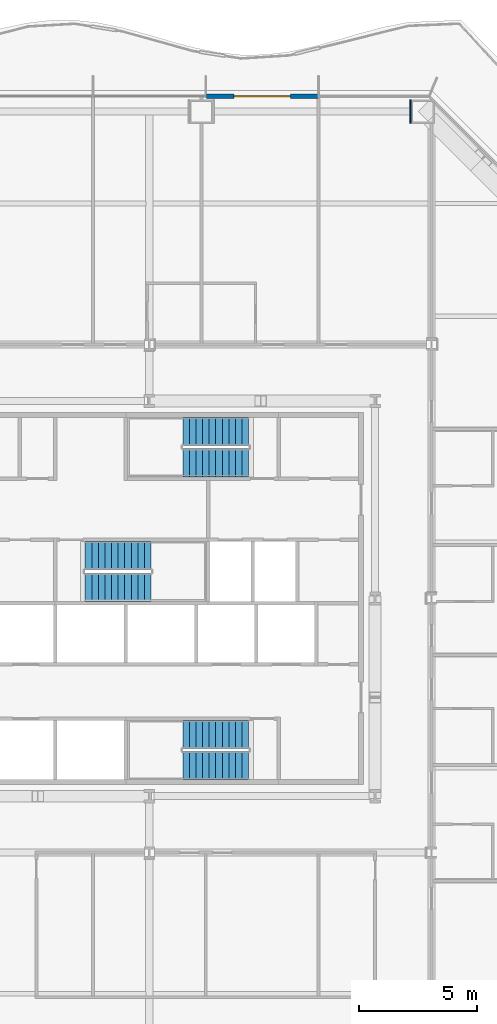
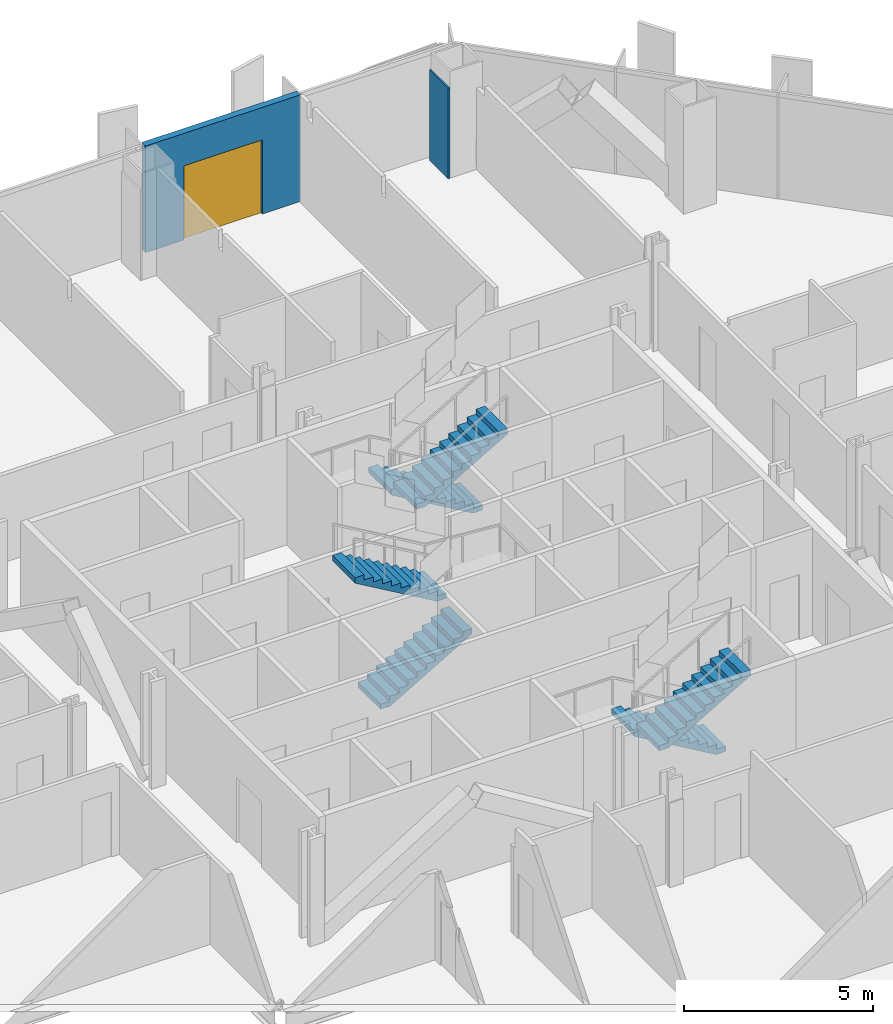
# One storey, part 14 of 21: 6 stair flights, 2 walls, 1 door, 1 opening, 3 elements without a shape of their own.
"""IFC4 building model written with IfcOpenShell, lengths in metres."""

from ifc_helpers import new_model, si_unit, direction, frame, frame_2d, origin, place, context, subcontext, project, spatial, polyline, rectangle, outline, extrude, material, layer, layer_set, type_object, element, fill, aggregate, save


model = new_model("IFC4")

# Units and contexts
model_context = context("Model", 3, precision=1e-05, world=origin(), true_north=direction((0.0, 1.0)))
body_context = subcontext(model_context, "Body", "Model", "MODEL_VIEW")
ifc_project = project(units=[si_unit("LENGTHUNIT", "METRE"), si_unit("AREAUNIT", "SQUARE_METRE"), si_unit("VOLUMEUNIT", "CUBIC_METRE"), si_unit("PLANEANGLEUNIT", "RADIAN"), si_unit("MASSUNIT", "GRAM", prefix="KILO")], contexts=[model_context])

# Site, building, storey
site_placement = place(None, origin())
site = spatial("IfcSite", under=ifc_project, at=site_placement, CompositionType="ELEMENT")
building_placement = place(site_placement, origin())
building = spatial("IfcBuilding", under=site, at=building_placement, Name="Cairn Pilgrim Tower", CompositionType="ELEMENT")
storey_placement = place(building_placement, frame((0.0, 0.0, 54.60009765625)))
storey = spatial("IfcBuildingStorey", under=building, at=storey_placement, Name="L11", CompositionType="ELEMENT", Elevation=54.60009765625)

# Wall, opening, door
ifc_material_1 = material(Name="Bronze anodised aluminium insulated sandwich panel with mineral wool fill", Category="aluminium")
ifc_layer_1 = layer(ifc_material_1, 0.199951171875)
ifc_layer_set_1 = layer_set([ifc_layer_1], Name="BRONZE INFILL FRAME WALL 200")
wall_type_1 = type_object("IfcWallType", Name="BRONZE INFILL FRAME WALL 200", PredefinedType="NOTDEFINED", material=ifc_layer_set_1)
wall_1_placement = place(storey_placement, frame((14.3701171875, 23.75, 0.0), z_axis=(0.0, 0.0, 1.0), x_axis=(-1.0, 0.0, 0.0)))
wall_1 = element("IfcWall", 1, at=wall_1_placement, inside=storey, type_object=wall_type_1, Name="Bronze infill frame wall IW-N2", PredefinedType="NOTDEFINED", context=body_context, shape_type="SweptSolid", body=[
    extrude(rectangle(XDim=4.740234375, YDim=0.199951171875, at=frame_2d((2.3701171875, 0.0))), origin(), (0.0, 0.0, 1.0), 3.449951171875),
])
opening_placement = place(wall_1_placement, frame((1.169921875, 0.0, 0.0)))
opening = element("IfcOpeningElement", 2, at=opening_placement, cuts=wall_1, Name="Opening 1120B", PredefinedType="OPENING", context=body_context, shape_type="SweptSolid", body=[
    extrude(rectangle(XDim=2.39990234375, YDim=2.39990234375, at=frame_2d((1.199951171875, 1.199951171875))), frame((0.0, 0.10986328125, 0.0), z_axis=(0.0, -1.0, 0.0), x_axis=(1.0, 0.0, 0.0)), (0.0, 0.0, 1.0), 0.219970703125),
])
ifc_material_2 = material(Name="Bronze anodised aluminium frame with tinted low-E glass", Category="aluminium")
door_type = type_object("IfcDoorType", Name="BALCONY SLIDING DOOR 2400x2400", OperationType="DOUBLE_DOOR_SLIDING", PredefinedType="DOOR", material=ifc_material_2)
door_placement = place(opening_placement, origin())
door = element("IfcDoor", 3, at=door_placement, inside=storey, type_object=door_type, Name="Balcony sliding door 1120B", OperationType="SINGLE_SWING_LEFT", OverallHeight=2.39990234375, OverallWidth=2.39990234375, PredefinedType="DOOR", context=body_context, shape_type="SweptSolid", body=[
    extrude(rectangle(XDim=2.39990234375, YDim=2.39990234375, at=frame_2d((1.199951171875, 1.199951171875))), frame((0.0, 0.02490234375, 0.0), z_axis=(0.0, -1.0, 0.0), x_axis=(1.0, 0.0, 0.0)), (0.0, 0.0, 1.0), 0.050048828125),
])
fill(opening, door)

# Wall
ifc_material_3 = material(Name="Gypsum partition")
ifc_layer_2 = layer(ifc_material_3, 0.050048828125)
ifc_layer_set_2 = layer_set([ifc_layer_2], Name="PARTITION 50 DRYWALL EI 60")
wall_type_2 = type_object("IfcWallType", Name="PARTITION 50 DRYWALL EI 60", PredefinedType="PARTITIONING", material=ifc_layer_set_2)
wall_2_placement = place(storey_placement, frame((18.30224609375, 22.60009765625, 0.0), z_axis=(0.0, 0.0, 1.0), x_axis=(0.0, 1.0, 0.0)))
element("IfcWall", 4, at=wall_2_placement, inside=storey, type_object=wall_type_2, Name="COLUMN CASING WC33", PredefinedType="PARTITIONING", context=body_context, shape_type="SweptSolid", body=[
    extrude(rectangle(XDim=1.0, YDim=0.050048828125, at=frame_2d((0.5, 0.0))), origin(), (0.0, 0.0, 1.0), 2.929931640625),
])

# Stair, stair flights
ifc_material_4 = material(Name="Concrete C32/40", Category="concrete")
stair_type = type_object("IfcStairType", Name="EXIT STAIR 1200", PredefinedType="HALF_TURN_STAIR", material=ifc_material_4)
stair_1_placement = place(storey_placement, origin())
stair_1 = element("IfcStair", 5, at=stair_1_placement, inside=storey, type_object=stair_type, Name="L11 Exit Stair A", PredefinedType="HALF_TURN_STAIR")
stair_flight_type = type_object("IfcStairFlightType", Name="STAIR FLIGHT 1200", PredefinedType="STRAIGHT", material=ifc_material_4)
stair_flight_1_placement = place(storey_placement, frame((11.425048828125, -3.375, 0.0), z_axis=(0.0, 0.0, 1.0), x_axis=(-1.0, 0.0, 0.0)))
stair_flight_1 = element("IfcStairFlight", 6, at=stair_flight_1_placement, type_object=stair_flight_type, Name="ST-A flight 1", NumberOfRisers=11, NumberOfTreads=10, PredefinedType="STRAIGHT", RiserHeight=0.163636364, TreadLength=0.28, context=body_context, shape_type="SweptSolid", body=[
    extrude(outline(polyline([(0.0, 0.0), (0.0, 0.16357421875), (0.280029296875, 0.16357421875), (0.280029296875, 0.327392578125), (0.56005859375, 0.327392578125), (0.56005859375, 0.490966796875), (0.840087890625, 0.490966796875), (0.840087890625, 0.654541015625), (1.1201171875, 0.654541015625), (1.1201171875, 0.818115234375), (1.39990234375, 0.818115234375), (1.39990234375, 0.98193359375), (1.679931640625, 0.98193359375), (1.679931640625, 1.1455078125), (1.9599609375, 1.1455078125), (1.9599609375, 1.30908203125), (2.239990234375, 1.30908203125), (2.239990234375, 1.47265625), (2.52001953125, 1.47265625), (2.52001953125, 1.636474609375), (2.800048828125, 1.636474609375), (2.800048828125, 1.800048828125), (2.800048828125, 1.462646484375), (0.297119140625, 0.0), (0.0, 0.0)])), frame((0.0, 0.60009765625, 0.0), z_axis=(0.0, -1.0, 0.0), x_axis=(1.0, 0.0, 0.0)), (0.0, 0.0, 1.0), 1.199951171875),
])
stair_flight_2_placement = place(storey_placement, frame((8.625, -4.699951171875, 1.7998046875), z_axis=(0.0, 0.0, 1.0), x_axis=(1.0, 0.0, 0.0)))
stair_flight_2 = element("IfcStairFlight", 7, at=stair_flight_2_placement, type_object=stair_flight_type, Name="ST-A flight 2", NumberOfRisers=11, NumberOfTreads=10, PredefinedType="STRAIGHT", RiserHeight=0.163636364, TreadLength=0.28, context=body_context, shape_type="SweptSolid", body=[
    extrude(outline(polyline([(0.0, 0.0), (0.0, 0.16357421875), (0.280029296875, 0.16357421875), (0.280029296875, 0.327392578125), (0.56005859375, 0.327392578125), (0.56005859375, 0.490966796875), (0.840087890625, 0.490966796875), (0.840087890625, 0.654541015625), (1.1201171875, 0.654541015625), (1.1201171875, 0.818115234375), (1.39990234375, 0.818115234375), (1.39990234375, 0.98193359375), (1.679931640625, 0.98193359375), (1.679931640625, 1.1455078125), (1.9599609375, 1.1455078125), (1.9599609375, 1.30908203125), (2.239990234375, 1.30908203125), (2.239990234375, 1.47265625), (2.52001953125, 1.47265625), (2.52001953125, 1.636474609375), (2.800048828125, 1.636474609375), (2.800048828125, 1.800048828125), (2.800048828125, 1.462646484375), (0.297119140625, 0.0), (0.0, 0.0)])), frame((0.0, 0.60009765625, 0.0), z_axis=(0.0, -1.0, 0.0), x_axis=(1.0, 0.0, 0.0)), (0.0, 0.0, 1.0), 1.199951171875),
])
aggregate(stair_1, [stair_flight_1, stair_flight_2])

stair_2_placement = place(storey_placement, origin())
stair_2 = element("IfcStair", 8, at=stair_2_placement, inside=storey, type_object=stair_type, Name="L11 Exit Stair B", PredefinedType="HALF_TURN_STAIR")
stair_flight_3_placement = place(storey_placement, frame((4.47509765625, 2.875, 0.0), z_axis=(0.0, 0.0, 1.0), x_axis=(1.0, 0.0, 0.0)))
stair_flight_3 = element("IfcStairFlight", 9, at=stair_flight_3_placement, type_object=stair_flight_type, Name="ST-B flight 1", NumberOfRisers=11, NumberOfTreads=10, PredefinedType="STRAIGHT", RiserHeight=0.163636364, TreadLength=0.28, context=body_context, shape_type="SweptSolid", body=[
    extrude(outline(polyline([(0.0, 0.0), (0.0, 0.16357421875), (0.280029296875, 0.16357421875), (0.280029296875, 0.327392578125), (0.56005859375, 0.327392578125), (0.56005859375, 0.490966796875), (0.840087890625, 0.490966796875), (0.840087890625, 0.654541015625), (1.1201171875, 0.654541015625), (1.1201171875, 0.818115234375), (1.39990234375, 0.818115234375), (1.39990234375, 0.98193359375), (1.679931640625, 0.98193359375), (1.679931640625, 1.1455078125), (1.9599609375, 1.1455078125), (1.9599609375, 1.30908203125), (2.239990234375, 1.30908203125), (2.239990234375, 1.47265625), (2.52001953125, 1.47265625), (2.52001953125, 1.636474609375), (2.800048828125, 1.636474609375), (2.800048828125, 1.800048828125), (2.800048828125, 1.462646484375), (0.297119140625, 0.0), (0.0, 0.0)])), frame((0.0, 0.60009765625, 0.0), z_axis=(0.0, -1.0, 0.0), x_axis=(1.0, 0.0, 0.0)), (0.0, 0.0, 1.0), 1.199951171875),
])
stair_flight_4_placement = place(storey_placement, frame((7.27490234375, 4.22509765625, 1.7998046875), z_axis=(0.0, 0.0, 1.0), x_axis=(-1.0, 0.0, 0.0)))
stair_flight_4 = element("IfcStairFlight", 10, at=stair_flight_4_placement, type_object=stair_flight_type, Name="ST-B flight 2", NumberOfRisers=11, NumberOfTreads=10, PredefinedType="STRAIGHT", RiserHeight=0.163636364, TreadLength=0.28, context=body_context, shape_type="SweptSolid", body=[
    extrude(outline(polyline([(0.0, 0.0), (0.0, 0.16357421875), (0.280029296875, 0.16357421875), (0.280029296875, 0.327392578125), (0.56005859375, 0.327392578125), (0.56005859375, 0.490966796875), (0.840087890625, 0.490966796875), (0.840087890625, 0.654541015625), (1.1201171875, 0.654541015625), (1.1201171875, 0.818115234375), (1.39990234375, 0.818115234375), (1.39990234375, 0.98193359375), (1.679931640625, 0.98193359375), (1.679931640625, 1.1455078125), (1.9599609375, 1.1455078125), (1.9599609375, 1.30908203125), (2.239990234375, 1.30908203125), (2.239990234375, 1.47265625), (2.52001953125, 1.47265625), (2.52001953125, 1.636474609375), (2.800048828125, 1.636474609375), (2.800048828125, 1.800048828125), (2.800048828125, 1.462646484375), (0.297119140625, 0.0), (0.0, 0.0)])), frame((0.0, 0.60009765625, 0.0), z_axis=(0.0, -1.0, 0.0), x_axis=(1.0, 0.0, 0.0)), (0.0, 0.0, 1.0), 1.199951171875),
])
aggregate(stair_2, [stair_flight_3, stair_flight_4])

stair_3_placement = place(storey_placement, origin())
stair_3 = element("IfcStair", 11, at=stair_3_placement, inside=storey, type_object=stair_type, Name="L11 Exit Stair C", PredefinedType="HALF_TURN_STAIR")
stair_flight_5_placement = place(storey_placement, frame((11.425048828125, 9.5, 0.0), z_axis=(0.0, 0.0, 1.0), x_axis=(-1.0, 0.0, 0.0)))
stair_flight_5 = element("IfcStairFlight", 12, at=stair_flight_5_placement, type_object=stair_flight_type, Name="ST-C flight 1", NumberOfRisers=11, NumberOfTreads=10, PredefinedType="STRAIGHT", RiserHeight=0.163636364, TreadLength=0.28, context=body_context, shape_type="SweptSolid", body=[
    extrude(outline(polyline([(0.0, 0.0), (0.0, 0.16357421875), (0.280029296875, 0.16357421875), (0.280029296875, 0.327392578125), (0.56005859375, 0.327392578125), (0.56005859375, 0.490966796875), (0.840087890625, 0.490966796875), (0.840087890625, 0.654541015625), (1.1201171875, 0.654541015625), (1.1201171875, 0.818115234375), (1.39990234375, 0.818115234375), (1.39990234375, 0.98193359375), (1.679931640625, 0.98193359375), (1.679931640625, 1.1455078125), (1.9599609375, 1.1455078125), (1.9599609375, 1.30908203125), (2.239990234375, 1.30908203125), (2.239990234375, 1.47265625), (2.52001953125, 1.47265625), (2.52001953125, 1.636474609375), (2.800048828125, 1.636474609375), (2.800048828125, 1.800048828125), (2.800048828125, 1.462646484375), (0.297119140625, 0.0), (0.0, 0.0)])), frame((0.0, 0.60009765625, 0.0), z_axis=(0.0, -1.0, 0.0), x_axis=(1.0, 0.0, 0.0)), (0.0, 0.0, 1.0), 1.199951171875),
])
stair_flight_6_placement = place(storey_placement, frame((8.625, 8.175048828125, 1.7998046875), z_axis=(0.0, 0.0, 1.0), x_axis=(1.0, 0.0, 0.0)))
stair_flight_6 = element("IfcStairFlight", 13, at=stair_flight_6_placement, type_object=stair_flight_type, Name="ST-C flight 2", NumberOfRisers=11, NumberOfTreads=10, PredefinedType="STRAIGHT", RiserHeight=0.163636364, TreadLength=0.28, context=body_context, shape_type="SweptSolid", body=[
    extrude(outline(polyline([(0.0, 0.0), (0.0, 0.16357421875), (0.280029296875, 0.16357421875), (0.280029296875, 0.327392578125), (0.56005859375, 0.327392578125), (0.56005859375, 0.490966796875), (0.840087890625, 0.490966796875), (0.840087890625, 0.654541015625), (1.1201171875, 0.654541015625), (1.1201171875, 0.818115234375), (1.39990234375, 0.818115234375), (1.39990234375, 0.98193359375), (1.679931640625, 0.98193359375), (1.679931640625, 1.1455078125), (1.9599609375, 1.1455078125), (1.9599609375, 1.30908203125), (2.239990234375, 1.30908203125), (2.239990234375, 1.47265625), (2.52001953125, 1.47265625), (2.52001953125, 1.636474609375), (2.800048828125, 1.636474609375), (2.800048828125, 1.800048828125), (2.800048828125, 1.462646484375), (0.297119140625, 0.0), (0.0, 0.0)])), frame((0.0, 0.60009765625, 0.0), z_axis=(0.0, -1.0, 0.0), x_axis=(1.0, 0.0, 0.0)), (0.0, 0.0, 1.0), 1.199951171875),
])
aggregate(stair_3, [stair_flight_5, stair_flight_6])

save(model, "model.ifc")
